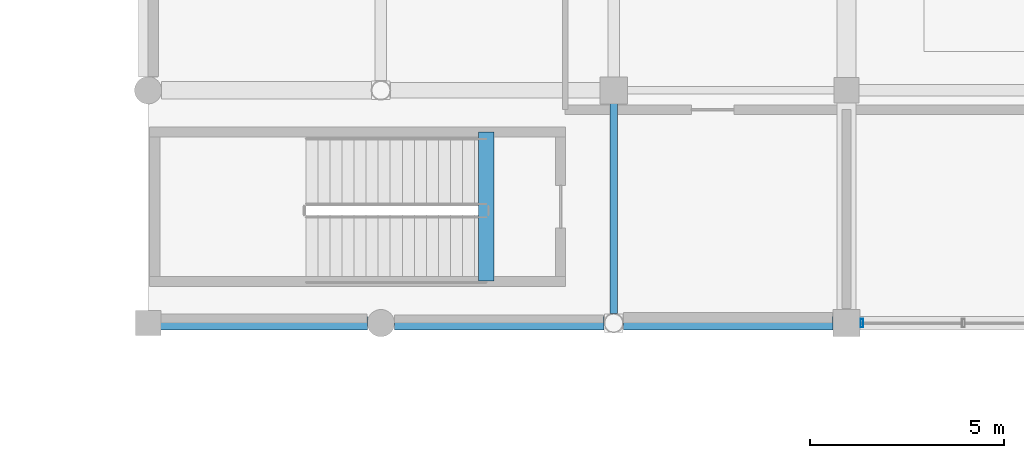
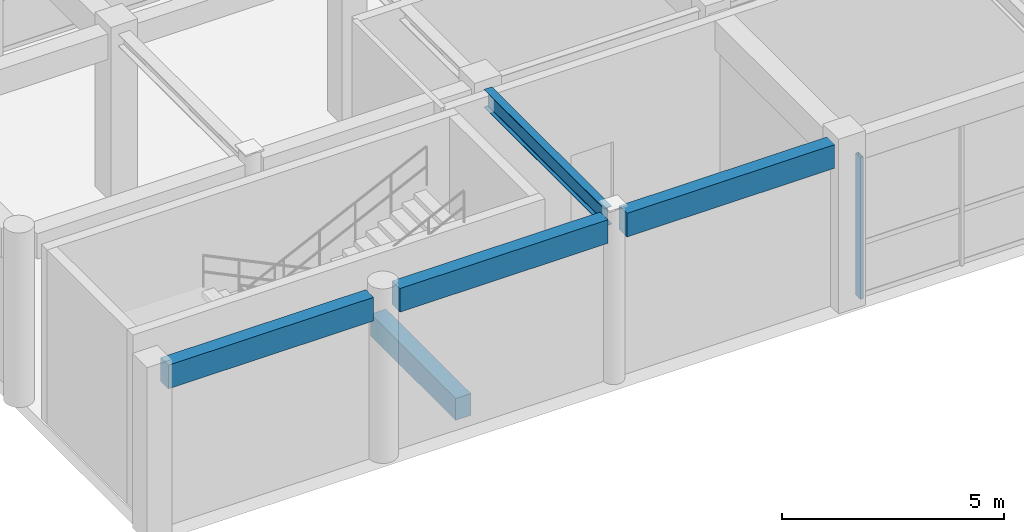
# One storey, part 45 of 112: 5 beams, 1 member, 1 element without a shape of its own.
"""IFC4 building model written with IfcOpenShell, lengths in metres."""

from ifc_helpers import new_model, si_unit, direction, frame, origin, origin_2d, place, context, subcontext, project, spatial, rectangle, hollow_rectangle, i_section, extrude, material, material_profile, profile_set, type_object, element, aggregate, save


model = new_model("IFC4")

# Units and contexts
model_context = context("Model", 3, precision=1e-05, world=origin(), true_north=direction((0.0, 1.0)))
body_context = subcontext(model_context, "Body", "Model", "MODEL_VIEW")
ifc_project = project(units=[si_unit("LENGTHUNIT", "METRE"), si_unit("AREAUNIT", "SQUARE_METRE"), si_unit("VOLUMEUNIT", "CUBIC_METRE"), si_unit("PLANEANGLEUNIT", "RADIAN"), si_unit("MASSUNIT", "GRAM", prefix="KILO"), si_unit("THERMODYNAMICTEMPERATUREUNIT", "KELVIN"), si_unit("POWERUNIT", "WATT")], contexts=[model_context])

# Site, building, storey
site_placement = place(None, origin())
site = spatial("IfcSite", under=ifc_project, at=site_placement, CompositionType="ELEMENT")
building_placement = place(site_placement, origin())
building = spatial("IfcBuilding", under=site, at=building_placement, Name="Phaisarnlok Congress Hotel", CompositionType="ELEMENT")
storey_placement = place(building_placement, frame((0.0, 0.0, 19.800048828125)))
storey = spatial("IfcBuildingStorey", under=building, at=storey_placement, Name="L04", CompositionType="ELEMENT", Elevation=19.800048828125)

# Beams
ifc_material_1 = material(Name="Concrete C40/50", Category="concrete")
ifc_material_profile_1 = material_profile(ifc_material_1, rectangle(XDim=0.39990234375, YDim=0.60009765625, at=origin_2d()), Name="RC 400x600")
ifc_profile_set_1 = profile_set([ifc_material_profile_1], Name="Concrete C40/50")
beam_type_1 = type_object("IfcBeamType", Name="BM-RC-400x600", PredefinedType="BEAM", material=ifc_profile_set_1)
beam_1_placement = place(storey_placement, frame((74.719970703125, 109.080078125, -0.300048828125), z_axis=(0.0, 1.0, 0.0), x_axis=(-1.0, 0.0, 0.0)))
element("IfcBeam", 1, at=beam_1_placement, inside=storey, type_object=beam_type_1, Name="Stair landing header beam B-02 (STAIR-HW L04)", PredefinedType="BEAM", context=body_context, shape_type="SweptSolid", body=[
    extrude(rectangle(XDim=0.39990234375, YDim=0.60009765625, at=origin_2d()), origin(), (0.0, 0.0, 1.0), 3.83984375),
])
ifc_material_2 = material(Name="Steel S355", Category="steel")
ifc_material_profile_2 = material_profile(ifc_material_2, i_section(OverallWidth=0.199951171875, OverallDepth=0.5, WebThickness=0.01025390625, FlangeThickness=0.01611328125, FilletRadius=0.02099609375, at=origin_2d()), Name="IPE 500")
ifc_profile_set_2 = profile_set([ifc_material_profile_2], Name="Steel S355")
beam_type_2 = type_object("IfcBeamType", Name="BM-STL-IPE500", PredefinedType="BEAM", material=ifc_profile_set_2)
beam_2_placement = place(storey_placement, frame((78.0, 108.2490234375, 4.300048828125), z_axis=(0.0, 1.0, 0.0), x_axis=(-1.0, 0.0, 0.0)))
element("IfcBeam", 2, at=beam_2_placement, inside=storey, type_object=beam_type_2, Name="Beam SB-02", PredefinedType="BEAM", context=body_context, shape_type="SweptSolid", body=[
    extrude(i_section(OverallWidth=0.199951171875, OverallDepth=0.5, WebThickness=0.01025390625, FlangeThickness=0.01611328125, FilletRadius=0.02099609375, at=origin_2d()), origin(), (0.0, 0.0, 1.0), 5.406005859375),
])

# Curtain wall, member
ifc_material_3 = material(Name="Thermally Broken Unitised Aluminium & Low-E Glazing", Category="aluminium")
curtain_wall_type = type_object("IfcCurtainWallType", Name="CW-UNIT-33", PredefinedType="NOTDEFINED", material=ifc_material_3)
curtain_wall_placement = place(storey_placement, origin())
curtain_wall = element("IfcCurtainWall", 3, at=curtain_wall_placement, inside=storey, type_object=curtain_wall_type, Name="Unitised curtain wall CW-33 (L04)", PredefinedType="NOTDEFINED")
ifc_material_4 = material(Name="Anodised Aluminium Alloy 6063-T6", Category="aluminium")
ifc_material_profile_3 = material_profile(ifc_material_4, hollow_rectangle(XDim=0.074951171875, YDim=0.219970703125, WallThickness=0.0048828125, at=origin_2d()), Name="ALU-M 75x220x5")
ifc_profile_set_3 = profile_set([ifc_material_profile_3], Name="Anodised Aluminium Alloy 6063-T6")
member_type = type_object("IfcMemberType", Name="CWM-220", PredefinedType="MULLION", material=ifc_profile_set_3)
member_placement = place(storey_placement, frame((84.39990234375, 108.0, 0.0), z_axis=(0.0, 0.0, 1.0), x_axis=(1.0, 0.0, 0.0)))
member = element("IfcMember", 4, at=member_placement, type_object=member_type, Name="Curtain wall mullion CWM-02", PredefinedType="MULLION", context=body_context, shape_type="SweptSolid", body=[
    extrude(hollow_rectangle(XDim=0.074951171875, YDim=0.219970703125, WallThickness=0.0048828125, at=origin_2d()), origin(), (0.0, 0.0, 1.0), 3.89990234375),
])
aggregate(curtain_wall, [member])

# Beams
ifc_material_profile_4 = material_profile(ifc_material_1, rectangle(XDim=0.35009765625, YDim=0.64990234375, at=origin_2d()), Name="RC 350x650")
ifc_profile_set_4 = profile_set([ifc_material_profile_4], Name="Concrete C40/50")
beam_type_3 = type_object("IfcBeamType", Name="SP-RC-350x650", PredefinedType="SPANDREL", material=ifc_profile_set_4)
beam_3_placement = place(storey_placement, frame((66.320068359375, 108.0, 4.224853515625), z_axis=(1.0, 0.0, 0.0), x_axis=(0.0, 1.0, 0.0)))
element("IfcBeam", 5, at=beam_3_placement, inside=storey, type_object=beam_type_3, Name="Beam SP-01", PredefinedType="SPANDREL", context=body_context, shape_type="SweptSolid", body=[
    extrude(rectangle(XDim=0.35009765625, YDim=0.64990234375, at=origin_2d()), origin(), (0.0, 0.0, 1.0), 5.3349609375),
])
for number, where, z_axis, x_axis, name in (
    (6, (72.344970703125, 108.0, 4.224853515625), (1.0, 0.0, 0.0), (0.0, 1.0, 0.0), "Beam SP-01"),
    (7, (78.2490234375, 108.0, 4.224853515625), (1.0, 0.0, 0.0), (0.0, 1.0, 0.0), "Beam SP-01"),
):
    element("IfcBeam", number, at=place(storey_placement, frame(where, z_axis=z_axis, x_axis=x_axis)), inside=storey, type_object=beam_type_3, Name=name, PredefinedType="SPANDREL", context=body_context, shape_type="SweptSolid", body=[
        extrude(rectangle(XDim=0.35009765625, YDim=0.64990234375, at=origin_2d()), origin(), (0.0, 0.0, 1.0), 5.406005859375),
    ])

save(model, "model.ifc")
